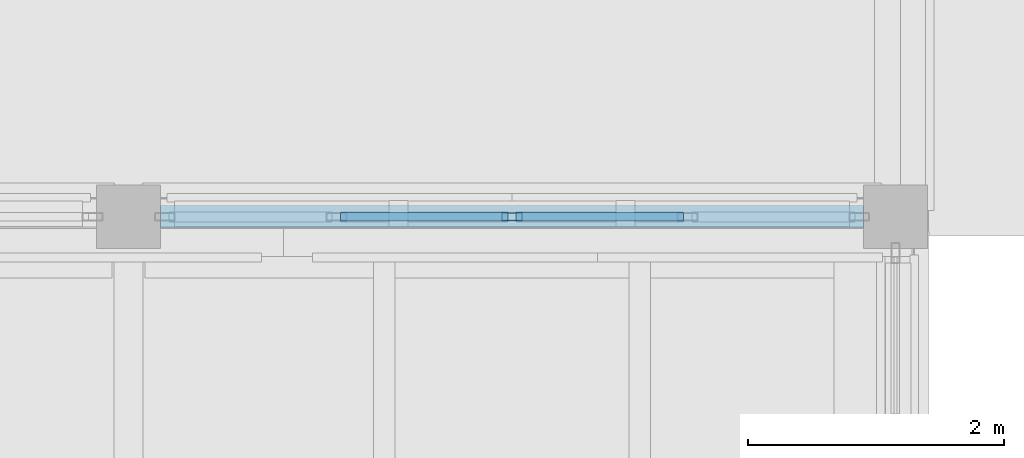
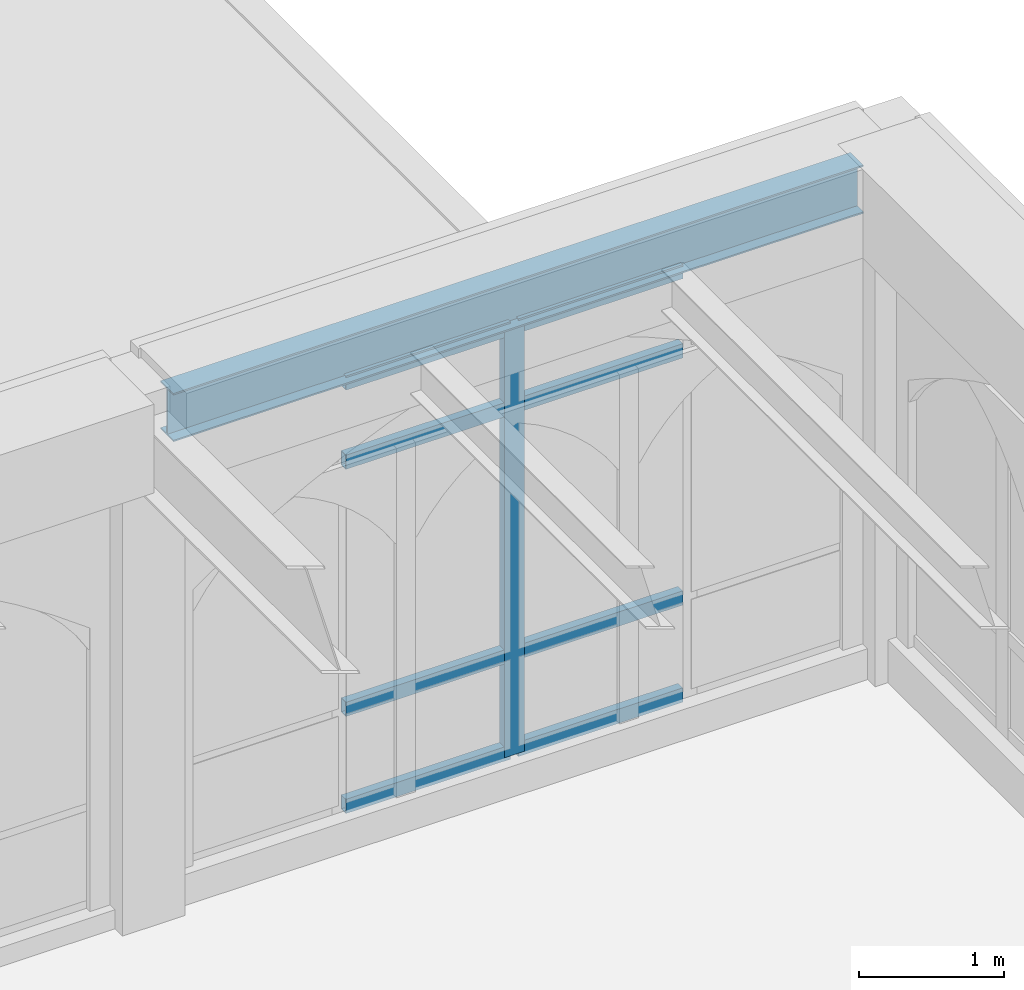
# One storey, part 78 of 143: 9 members, 1 beam, 1 element without a shape of its own.
"""IFC4 building model written with IfcOpenShell, lengths in metres."""

from ifc_helpers import new_model, si_unit, direction, frame, origin, origin_2d, place, context, subcontext, project, spatial, hollow_rectangle, i_section, extrude, material, layer, layer_set, material_profile, profile_set, type_object, element, aggregate, save


model = new_model("IFC4")

# Units and contexts
model_context = context("Model", 3, precision=1e-05, world=origin(), true_north=direction((0.0, 1.0)))
body_context = subcontext(model_context, "Body", "Model", "MODEL_VIEW")
ifc_project = project(units=[si_unit("LENGTHUNIT", "METRE"), si_unit("AREAUNIT", "SQUARE_METRE"), si_unit("VOLUMEUNIT", "CUBIC_METRE"), si_unit("PLANEANGLEUNIT", "RADIAN"), si_unit("MASSUNIT", "GRAM", prefix="KILO")], contexts=[model_context])

# Site, building, storey
site_placement = place(None, origin())
site = spatial("IfcSite", under=ifc_project, at=site_placement, CompositionType="ELEMENT")
building_placement = place(site_placement, origin())
building = spatial("IfcBuilding", under=site, at=building_placement, Name="Cumevento Cable Car Station", CompositionType="ELEMENT")
storey_placement = place(building_placement, frame((0.0, 0.0, 9.0)))
storey = spatial("IfcBuildingStorey", under=building, at=storey_placement, Name="L03", CompositionType="ELEMENT", Elevation=9.0)

# Curtain wall, members
ifc_material_1 = material(Name="Anodised Bronze Aluminium AW-6063-T6", Category="aluminium")
ifc_layer = layer(ifc_material_1, 0.219970703125)
ifc_layer_set = layer_set([ifc_layer], Name="Anodised Bronze Aluminium AW-6063-T6")
curtain_wall_type = type_object("IfcCurtainWallType", Name="Lancet Curtain Wall CW-11 1450", PredefinedType="NOTDEFINED", material=ifc_layer_set)
curtain_wall_placement = place(storey_placement, origin())
curtain_wall = element("IfcCurtainWall", 1, at=curtain_wall_placement, inside=storey, type_object=curtain_wall_type, Name="Lancet Curtain Wall CW-11 L03 #138", PredefinedType="NOTDEFINED")
ifc_material_2 = material(Name="Anodised Bronze Aluminium AW-6063-T6", Category="aluminium")
ifc_material_profile_1 = material_profile(ifc_material_2, hollow_rectangle(XDim=0.06494140625, YDim=0.159912109375, WallThickness=0.00390625, at=origin_2d()), Name="ALUM65x160x4")
ifc_profile_set_1 = profile_set([ifc_material_profile_1], Name="Anodised Bronze Aluminium AW-6063-T6")
member_type_1 = type_object("IfcMemberType", Name="Curtain Mullion CWM-01 ALUM65x160x4", PredefinedType="MULLION", material=ifc_profile_set_1)
member_1_placement = place(storey_placement, frame((163.0, 45.0, 0.260009765625), z_axis=(0.0, 0.0, 1.0), x_axis=(0.0, 1.0, 0.0)))
member_1 = element("IfcMember", 2, at=member_1_placement, type_object=member_type_1, Name="CW-11 mullion 3", PredefinedType="MULLION", context=body_context, shape_type="SweptSolid", body=[
    extrude(hollow_rectangle(XDim=0.06494140625, YDim=0.159912109375, WallThickness=0.00390625, at=origin_2d()), origin(), (0.0, 0.0, 1.0), 3.633056640625),
])
ifc_material_3 = material(Name="Anodised Bronze Aluminium AW-6063-T6", Category="aluminium")
ifc_material_profile_2 = material_profile(ifc_material_3, hollow_rectangle(XDim=0.06494140625, YDim=0.1201171875, WallThickness=0.00390625, at=origin_2d()), Name="ALUT65x120x4")
ifc_profile_set_2 = profile_set([ifc_material_profile_2], Name="Anodised Bronze Aluminium AW-6063-T6")
member_type_2 = type_object("IfcMemberType", Name="Curtain Transom CWT-01 ALUT65x120x4", PredefinedType="USERDEFINED", material=ifc_profile_set_2)
member_2_placement = place(storey_placement, frame((161.657470703125, 45.0, 0.29248046875), z_axis=(1.0, 0.0, 0.0), x_axis=(0.0, 1.0, 0.0)))
member_2 = element("IfcMember", 3, at=member_2_placement, type_object=member_type_2, Name="CW-11 transom 2.1", ObjectType="TRANSOM", PredefinedType="USERDEFINED", context=body_context, shape_type="SweptSolid", body=[
    extrude(hollow_rectangle(XDim=0.06494140625, YDim=0.1201171875, WallThickness=0.00390625, at=origin_2d()), origin(), (0.0, 0.0, 1.0), 1.31005859375),
])
member_3_placement = place(storey_placement, frame((161.657470703125, 45.0, 1.110107421875), z_axis=(1.0, 0.0, 0.0), x_axis=(0.0, 1.0, 0.0)))
member_3 = element("IfcMember", 4, at=member_3_placement, type_object=member_type_2, Name="CW-11 transom 2.2", ObjectType="TRANSOM", PredefinedType="USERDEFINED", context=body_context, shape_type="SweptSolid", body=[
    extrude(hollow_rectangle(XDim=0.06494140625, YDim=0.1201171875, WallThickness=0.00390625, at=origin_2d()), origin(), (0.0, 0.0, 1.0), 1.31005859375),
])
member_4_placement = place(storey_placement, frame((161.657470703125, 45.0, 3.193115234375), z_axis=(1.0, 0.0, 0.0), x_axis=(0.0, 1.0, 0.0)))
member_4 = element("IfcMember", 5, at=member_4_placement, type_object=member_type_2, Name="CW-11 transom 2.3", ObjectType="TRANSOM", PredefinedType="USERDEFINED", context=body_context, shape_type="SweptSolid", body=[
    extrude(hollow_rectangle(XDim=0.06494140625, YDim=0.1201171875, WallThickness=0.00390625, at=origin_2d()), origin(), (0.0, 0.0, 1.0), 1.31005859375),
])
member_5_placement = place(storey_placement, frame((161.657470703125, 45.0, 3.860595703125), z_axis=(1.0, 0.0, 0.0), x_axis=(0.0, 1.0, 0.0)))
member_5 = element("IfcMember", 6, at=member_5_placement, type_object=member_type_2, Name="CW-11 transom 2.4", ObjectType="TRANSOM", PredefinedType="USERDEFINED", context=body_context, shape_type="SweptSolid", body=[
    extrude(hollow_rectangle(XDim=0.06494140625, YDim=0.1201171875, WallThickness=0.00390625, at=origin_2d()), origin(), (0.0, 0.0, 1.0), 1.31005859375),
])
member_6_placement = place(storey_placement, frame((163.032470703125, 45.0, 0.29248046875), z_axis=(1.0, 0.0, 0.0), x_axis=(0.0, 1.0, 0.0)))
member_6 = element("IfcMember", 7, at=member_6_placement, type_object=member_type_2, Name="CW-11 transom 3.1", ObjectType="TRANSOM", PredefinedType="USERDEFINED", context=body_context, shape_type="SweptSolid", body=[
    extrude(hollow_rectangle(XDim=0.06494140625, YDim=0.1201171875, WallThickness=0.00390625, at=origin_2d()), origin(), (0.0, 0.0, 1.0), 1.31005859375),
])
member_7_placement = place(storey_placement, frame((163.032470703125, 45.0, 1.110107421875), z_axis=(1.0, 0.0, 0.0), x_axis=(0.0, 1.0, 0.0)))
member_7 = element("IfcMember", 8, at=member_7_placement, type_object=member_type_2, Name="CW-11 transom 3.2", ObjectType="TRANSOM", PredefinedType="USERDEFINED", context=body_context, shape_type="SweptSolid", body=[
    extrude(hollow_rectangle(XDim=0.06494140625, YDim=0.1201171875, WallThickness=0.00390625, at=origin_2d()), origin(), (0.0, 0.0, 1.0), 1.31005859375),
])
member_8_placement = place(storey_placement, frame((163.032470703125, 45.0, 3.193115234375), z_axis=(1.0, 0.0, 0.0), x_axis=(0.0, 1.0, 0.0)))
member_8 = element("IfcMember", 9, at=member_8_placement, type_object=member_type_2, Name="CW-11 transom 3.3", ObjectType="TRANSOM", PredefinedType="USERDEFINED", context=body_context, shape_type="SweptSolid", body=[
    extrude(hollow_rectangle(XDim=0.06494140625, YDim=0.1201171875, WallThickness=0.00390625, at=origin_2d()), origin(), (0.0, 0.0, 1.0), 1.31005859375),
])
member_9_placement = place(storey_placement, frame((163.032470703125, 45.0, 3.860595703125), z_axis=(1.0, 0.0, 0.0), x_axis=(0.0, 1.0, 0.0)))
member_9 = element("IfcMember", 10, at=member_9_placement, type_object=member_type_2, Name="CW-11 transom 3.4", ObjectType="TRANSOM", PredefinedType="USERDEFINED", context=body_context, shape_type="SweptSolid", body=[
    extrude(hollow_rectangle(XDim=0.06494140625, YDim=0.1201171875, WallThickness=0.00390625, at=origin_2d()), origin(), (0.0, 0.0, 1.0), 1.31005859375),
])
aggregate(curtain_wall, [member_1, member_2, member_3, member_4, member_5, member_6, member_7, member_8, member_9])

# Beam
ifc_material_4 = material(Name="Steel ASTM A572 Grade 50", Category="steel")
ifc_material_profile_3 = material_profile(ifc_material_4, i_section(OverallWidth=0.177978515625, OverallDepth=0.406982421875, WebThickness=0.0078125, FlangeThickness=0.0126953125, at=origin_2d()), Name="W410x60.0")
ifc_profile_set_3 = profile_set([ifc_material_profile_3], Name="Steel ASTM A572 Grade 50")
beam_type = type_object("IfcBeamType", Name="Structural Spandrel SP-01 W410x60.0", PredefinedType="SPANDREL", material=ifc_profile_set_3)
beam_placement = place(storey_placement, frame((160.25, 45.0, 4.096435546875), z_axis=(1.0, 0.0, 0.0), x_axis=(0.0, 1.0, 0.0)))
element("IfcBeam", 11, at=beam_placement, inside=storey, type_object=beam_type, Name="Beam SP-01 L03 #1178", PredefinedType="SPANDREL", context=body_context, shape_type="SweptSolid", body=[
    extrude(i_section(OverallWidth=0.177978515625, OverallDepth=0.406982421875, WebThickness=0.0078125, FlangeThickness=0.0126953125, at=origin_2d()), origin(), (0.0, 0.0, 1.0), 5.5),
])

save(model, "model.ifc")
